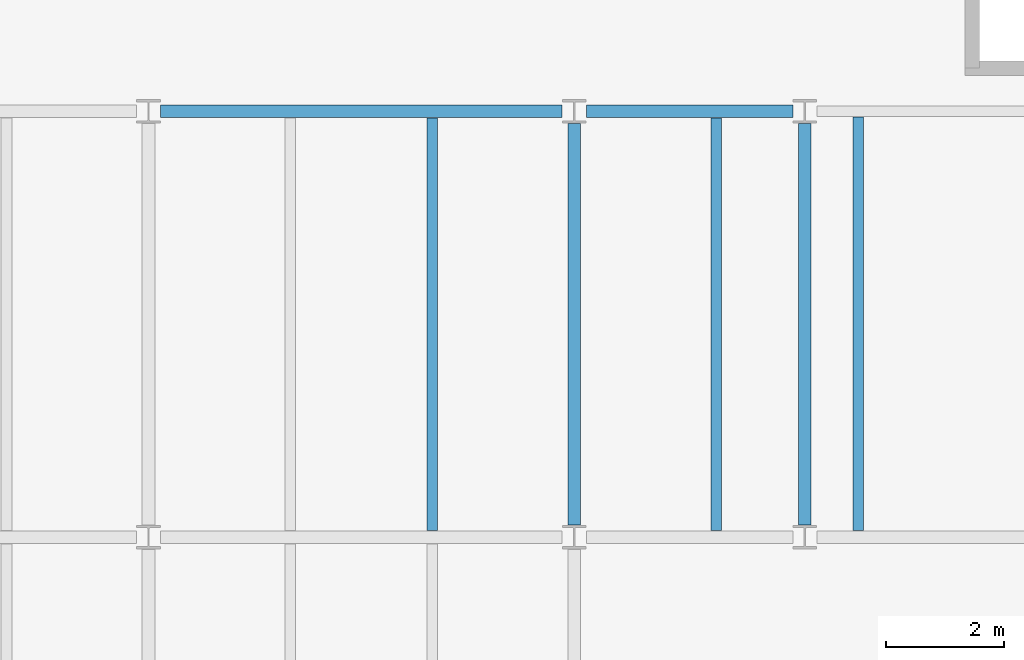
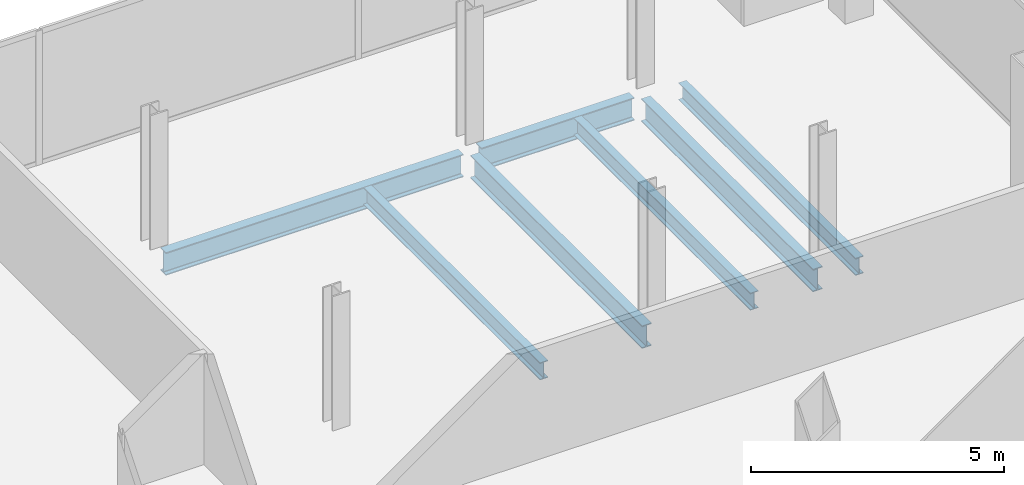
# One storey, part 15 of 24: 7 beams.
"""IFC4 building model written with IfcOpenShell, lengths in metres."""

import ifcopenshell
import ifcopenshell.guid

model = None  # the IFC model being written
_history = None  # IfcOwnerHistory: only IFC2X3 demands one
_inside = {}  # id of a spatial element -> (the spatial element, [elements in it])
_under = {}  # id of a project, library or spatial element -> (it, [spatial elements below it])
_declared = {}  # id of a project -> (the project, [libraries it declares])
_typed = {}  # id of a type object -> (the type object, [elements of that type])
_made_of = {}  # id of a material, layer set ... -> (it, [elements and type objects made of it])


def new_model(schema):
    """Start an empty IFC model of exactly this schema.

    Asked for "IFC4X3", IfcOpenShell would pick the latest addendum, in which some entities
    have other attributes; the version numbers below select the first issue.
    IFC2X3 requires an IfcOwnerHistory on every rooted entity: one is made here for all.
    """
    global model, _history
    if schema == "IFC4X3":
        model = ifcopenshell.file(schema_version=(4, 3, 0, 0))
    else:
        model = ifcopenshell.file(schema=schema)
    _inside.clear()
    _under.clear()
    _declared.clear()
    _typed.clear()
    _made_of.clear()
    _history = None
    if model.schema == "IFC2X3":
        org = make("IfcOrganization", Name="unknown")
        user = make(
            "IfcPersonAndOrganization",
            ThePerson=make("IfcPerson", FamilyName="unknown"),
            TheOrganization=org,
        )
        app = make(
            "IfcApplication",
            ApplicationDeveloper=org,
            Version="unknown",
            ApplicationFullName="unknown",
            ApplicationIdentifier="unknown",
        )
        _history = make(
            "IfcOwnerHistory",
            OwningUser=user,
            OwningApplication=app,
            ChangeAction="ADDED",
            CreationDate=0,
        )
    return model


def make(cls, **values):
    """One entity of the class cls with the attributes given. An attribute that is None is left unset."""
    return model.create_entity(
        cls, **{name: value for name, value in values.items() if value is not None}
    )


def rooted(cls, **values):
    """An entity with a GlobalId (a new one), such as an element, a storey or a relation."""
    return make(cls, GlobalId=ifcopenshell.guid.new(), OwnerHistory=_history, **values)


def si_unit(unit_type, name, prefix=None):
    """IfcSIUnit, for example si_unit("LENGTHUNIT", "METRE", prefix="MILLI")."""
    return make("IfcSIUnit", UnitType=unit_type, Prefix=prefix, Name=name)


def assignment(units):
    """IfcUnitAssignment: the units of a project."""
    return None if units is None else make("IfcUnitAssignment", Units=units)


def point(xyz):
    """IfcCartesianPoint."""
    return None if xyz is None else make("IfcCartesianPoint", Coordinates=xyz)


def direction(xyz):
    """IfcDirection."""
    return None if xyz is None else make("IfcDirection", DirectionRatios=xyz)


def frame(location, z_axis=None, x_axis=None):
    """IfcAxis2Placement3D, a coordinate frame: its origin and axes. An axis left out is left unset."""
    return make(
        "IfcAxis2Placement3D",
        Location=point(location),
        Axis=direction(z_axis),
        RefDirection=direction(x_axis),
    )


def frame_2d(location, x_axis=None):
    """IfcAxis2Placement2D, a coordinate frame in the plane: its origin and x axis."""
    return make(
        "IfcAxis2Placement2D", Location=point(location), RefDirection=direction(x_axis)
    )


def origin():
    """The frame at (0, 0, 0) with its axes left unset."""
    return frame((0.0, 0.0, 0.0))


def origin_2d():
    """The frame at (0, 0) in the plane with its x axis left unset."""
    return frame_2d((0.0, 0.0))


def place(relative_to, where):
    """IfcLocalPlacement: puts the frame where relative to a parent placement (None: the world)."""
    return make(
        "IfcLocalPlacement", PlacementRelTo=relative_to, RelativePlacement=where
    )


def context(
    kind, dimensions, precision=None, world=None, true_north=None, identifier=None
):
    """IfcGeometricRepresentationContext, for example the 3D "Model" context."""
    return make(
        "IfcGeometricRepresentationContext",
        ContextIdentifier=identifier,
        ContextType=kind,
        CoordinateSpaceDimension=dimensions,
        Precision=precision,
        WorldCoordinateSystem=world,
        TrueNorth=true_north,
    )


def subcontext(parent, identifier, kind, view, scale=None):
    """IfcGeometricRepresentationSubContext, for example "Body" below "Model"."""
    return make(
        "IfcGeometricRepresentationSubContext",
        ContextIdentifier=identifier,
        ContextType=kind,
        ParentContext=parent,
        TargetScale=scale,
        TargetView=view,
    )


def project(units=None, contexts=None):
    """IfcProject with its units and contexts."""
    return rooted(
        "IfcProject",
        Name="project",
        RepresentationContexts=contexts,
        UnitsInContext=assignment(units),
    )


def spatial(cls, under=None, at=None, **own):
    """A site, building, storey or space (cls), placed at a placement, below another one or the project."""
    s = rooted(cls, ObjectPlacement=at, **own)
    if under is not None:
        _under.setdefault(under.id(), (under, []))[1].append(s)
    return s


def profile(cls, at=None, kind="AREA", **sizes):
    """A parametric profile (cls). Its sizes go by their IFC names, for example OverallWidth=200.0."""
    return make(cls, ProfileType=kind, Position=at, **sizes)


def i_section(**sizes):
    """IfcIShapeProfileDef."""
    return profile("IfcIShapeProfileDef", **sizes)


def extrude(swept, where, along, depth):
    """IfcExtrudedAreaSolid: the profile swept, set in the frame where, extruded along a direction by depth."""
    return make(
        "IfcExtrudedAreaSolid",
        SweptArea=swept,
        Position=where,
        ExtrudedDirection=direction(along),
        Depth=depth,
    )


def shape(context_of_items, identifier, shape_type, items):
    """IfcShapeRepresentation: the items that make up one representation, for example the "Body"."""
    return make(
        "IfcShapeRepresentation",
        ContextOfItems=context_of_items,
        RepresentationIdentifier=identifier,
        RepresentationType=shape_type,
        Items=items,
    )


def material(Name=None, Category=None):
    """IfcMaterial."""
    return make("IfcMaterial", Name=Name, Category=Category)


def material_profile(
    of_material, cross_section, Name=None, Category=None, Priority=None
):
    """IfcMaterialProfile: a cross section and its material."""
    return make(
        "IfcMaterialProfile",
        Name=Name,
        Material=of_material,
        Profile=cross_section,
        Priority=Priority,
        Category=Category,
    )


def profile_set(profiles, Name=None, composite=None):
    """IfcMaterialProfileSet."""
    return make(
        "IfcMaterialProfileSet",
        Name=Name,
        MaterialProfiles=profiles,
        CompositeProfile=composite,
    )


def made_of(thing, what):
    """Note that an element or type object is made of a material, layer set ...; save() writes the relation."""
    if what is not None:
        _made_of.setdefault(what.id(), (what, []))[1].append(thing)
    return thing


def type_object(cls, material=None, **own):
    """A type object (cls), such as IfcWallType, which elements share."""
    return made_of(rooted(cls, **own), material)


def element(
    cls,
    number,
    at=None,
    inside=None,
    cuts=None,
    type_object=None,
    material=None,
    context=None,
    identifier="Body",
    shape_type=None,
    held_by="IfcProductDefinitionShape",
    body=None,
    shapes=None,
    **own,
):
    """One element of the class cls, such as IfcWall. Its Tag is "e" and its number.

    at: its placement. inside: the storey or other place that contains it. cuts: it is an
    opening in that element (IfcRelVoidsElement). A single representation is given by context,
    identifier, shape_type and body (its items); several are given by shapes. held_by: the class
    of the entity that holds the representations. save() writes the other relations.
    """
    e = rooted(cls, Tag="e%d" % number, ObjectPlacement=at, **own)
    if body is not None:
        shapes = [shape(context, identifier, shape_type, body)]
    if shapes is not None:
        e.Representation = make(held_by, Representations=shapes)
    if inside is not None:
        _inside.setdefault(inside.id(), (inside, []))[1].append(e)
    if cuts is not None:
        rooted(
            "IfcRelVoidsElement", RelatingBuildingElement=cuts, RelatedOpeningElement=e
        )
    if type_object is not None:
        _typed.setdefault(type_object.id(), (type_object, []))[1].append(e)
    return made_of(e, material)


def aggregate(whole, parts):
    """IfcRelAggregates: a whole, such as a stair, and the parts it consists of."""
    return rooted("IfcRelAggregates", RelatingObject=whole, RelatedObjects=parts)


def save(model, path):
    """Write the relations noted so far, then the file.

    IfcRelAggregates (storeys below a building ...), IfcRelContainedInSpatialStructure (elements
    in a storey), IfcRelDefinesByType, IfcRelAssociatesMaterial and IfcRelDeclares: one each for
    every whole, place, type object, material and project.
    """
    for whole, parts in _under.values():
        aggregate(whole, parts)
    for where, things in _inside.values():
        rooted(
            "IfcRelContainedInSpatialStructure",
            RelatedElements=things,
            RelatingStructure=where,
        )
    for kind, things in _typed.values():
        rooted("IfcRelDefinesByType", RelatedObjects=things, RelatingType=kind)
    for what, things in _made_of.values():
        rooted("IfcRelAssociatesMaterial", RelatedObjects=things, RelatingMaterial=what)
    for by, libraries in _declared.values():
        rooted("IfcRelDeclares", RelatingContext=by, RelatedDefinitions=libraries)
    model.write(path)


model = new_model("IFC4")

# Units and contexts
model_context = context("Model", 3, precision=1e-05, world=origin(), true_north=direction((0.0, 1.0)))
body_context = subcontext(model_context, "Body", "Model", "MODEL_VIEW")
ifc_project = project(units=[si_unit("LENGTHUNIT", "METRE"), si_unit("AREAUNIT", "SQUARE_METRE"), si_unit("VOLUMEUNIT", "CUBIC_METRE"), si_unit("PLANEANGLEUNIT", "RADIAN"), si_unit("MASSUNIT", "GRAM", prefix="KILO")], contexts=[model_context])

# Site, building, storey
site_placement = place(None, origin())
site = spatial("IfcSite", under=ifc_project, at=site_placement, CompositionType="ELEMENT")
building_placement = place(site_placement, origin())
building = spatial("IfcBuilding", under=site, at=building_placement, Name="Cobrela Telecom Tower", CompositionType="ELEMENT")
storey_placement = place(building_placement, frame((0.0, 0.0, 244.64990234375)))
storey = spatial("IfcBuildingStorey", under=building, at=storey_placement, Name="L63", CompositionType="ELEMENT", Elevation=244.64990234375)

# Beams
ifc_material = material(Name="Steel ASTM A992 Grade 50", Category="steel")
ifc_material_profile_1 = material_profile(ifc_material, i_section(OverallWidth=0.212890625, OverallDepth=0.549072265625, WebThickness=0.0146484375, FlangeThickness=0.023681640625, FilletRadius=0.013916015625, at=origin_2d()), Name="W21X93")
ifc_profile_set_1 = profile_set([ifc_material_profile_1], Name="Steel ASTM A992 Grade 50")
beam_type_1 = type_object("IfcBeamType", Name="BM-GIRD-08", PredefinedType="USERDEFINED", material=ifc_profile_set_1)
beam_1_placement = place(storey_placement, frame((29.00439453125, 21.60009765625, -0.534423828125), z_axis=(1.0, 0.0, 0.0), x_axis=(0.0, 1.0, 0.0)))
element("IfcBeam", 1, at=beam_1_placement, inside=storey, type_object=beam_type_1, Name="L63 Primary Girder X12", ObjectType="GIRDER", PredefinedType="USERDEFINED", context=body_context, shape_type="SweptSolid", body=[
    extrude(i_section(OverallWidth=0.212890625, OverallDepth=0.549072265625, WebThickness=0.0146484375, FlangeThickness=0.023681640625, FilletRadius=0.013916015625, at=origin_2d()), origin(), (0.0, 0.0, 1.0), 6.791015625),
])
beam_2_placement = place(storey_placement, frame((36.20458984375, 21.60009765625, -0.534423828125), z_axis=(1.0, 0.0, 0.0), x_axis=(0.0, 1.0, 0.0)))
element("IfcBeam", 2, at=beam_2_placement, inside=storey, type_object=beam_type_1, Name="L63 Primary Girder X13", ObjectType="GIRDER", PredefinedType="USERDEFINED", context=body_context, shape_type="SweptSolid", body=[
    extrude(i_section(OverallWidth=0.212890625, OverallDepth=0.549072265625, WebThickness=0.0146484375, FlangeThickness=0.023681640625, FilletRadius=0.013916015625, at=origin_2d()), origin(), (0.0, 0.0, 1.0), 3.490966796875),
])
for number, where, z_axis, x_axis, name in (
    (3, (36.0, 14.6044921875, -0.534423828125), (0.0, 1.0, 0.0), (-1.0, 0.0, 0.0), "L63 Primary Girder Y32"),
    (4, (39.89990234375, 14.6044921875, -0.534423828125), (0.0, 1.0, 0.0), (-1.0, 0.0, 0.0), "L63 Primary Girder Y33"),
):
    element("IfcBeam", number, at=place(storey_placement, frame(where, z_axis=z_axis, x_axis=x_axis)), inside=storey, type_object=beam_type_1, Name=name, ObjectType="GIRDER", PredefinedType="USERDEFINED", context=body_context, shape_type="SweptSolid", body=[
        extrude(i_section(OverallWidth=0.212890625, OverallDepth=0.549072265625, WebThickness=0.0146484375, FlangeThickness=0.023681640625, FilletRadius=0.013916015625, at=origin_2d()), origin(), (0.0, 0.0, 1.0), 6.791015625),
    ])
ifc_material_profile_2 = material_profile(ifc_material, i_section(OverallWidth=0.179931640625, OverallDepth=0.4169921875, WebThickness=0.010986328125, FlangeThickness=0.01806640625, FilletRadius=0.011962890625, at=origin_2d()), Name="W16X57")
ifc_profile_set_2 = profile_set([ifc_material_profile_2], Name="Steel ASTM A992 Grade 50")
beam_type_2 = type_object("IfcBeamType", Name="BM-JOIST-04", PredefinedType="JOIST", material=ifc_profile_set_2)
for number, where, z_axis, x_axis, name in (
    (5, (33.60009765625, 14.511474609375, -0.468505859375), (0.0, 1.0, 0.0), (-1.0, 0.0, 0.0), "L63 Secondary Composite Floor Beam J14"),
    (6, (38.39990234375, 14.511474609375, -0.468505859375), (0.0, 1.0, 0.0), (-1.0, 0.0, 0.0), "L63 Secondary Composite Floor Beam J15"),
):
    element("IfcBeam", number, at=place(storey_placement, frame(where, z_axis=z_axis, x_axis=x_axis)), inside=storey, type_object=beam_type_2, Name=name, PredefinedType="JOIST", context=body_context, shape_type="SweptSolid", body=[
        extrude(i_section(OverallWidth=0.179931640625, OverallDepth=0.4169921875, WebThickness=0.010986328125, FlangeThickness=0.01806640625, FilletRadius=0.011962890625, at=origin_2d()), origin(), (0.0, 0.0, 1.0), 6.97705078125),
    ])
beam_3_placement = place(storey_placement, frame((40.800048828125, 14.511474609375, -0.468505859375), z_axis=(0.0, 1.0, 0.0), x_axis=(-1.0, 0.0, 0.0)))
element("IfcBeam", 7, at=beam_3_placement, inside=storey, type_object=beam_type_2, Name="L63 Secondary Composite Floor Beam J16", PredefinedType="JOIST", context=body_context, shape_type="SweptSolid", body=[
    extrude(i_section(OverallWidth=0.179931640625, OverallDepth=0.4169921875, WebThickness=0.010986328125, FlangeThickness=0.01806640625, FilletRadius=0.011962890625, at=origin_2d()), origin(), (0.0, 0.0, 1.0), 6.993408203125),
])

save(model, "model.ifc")
